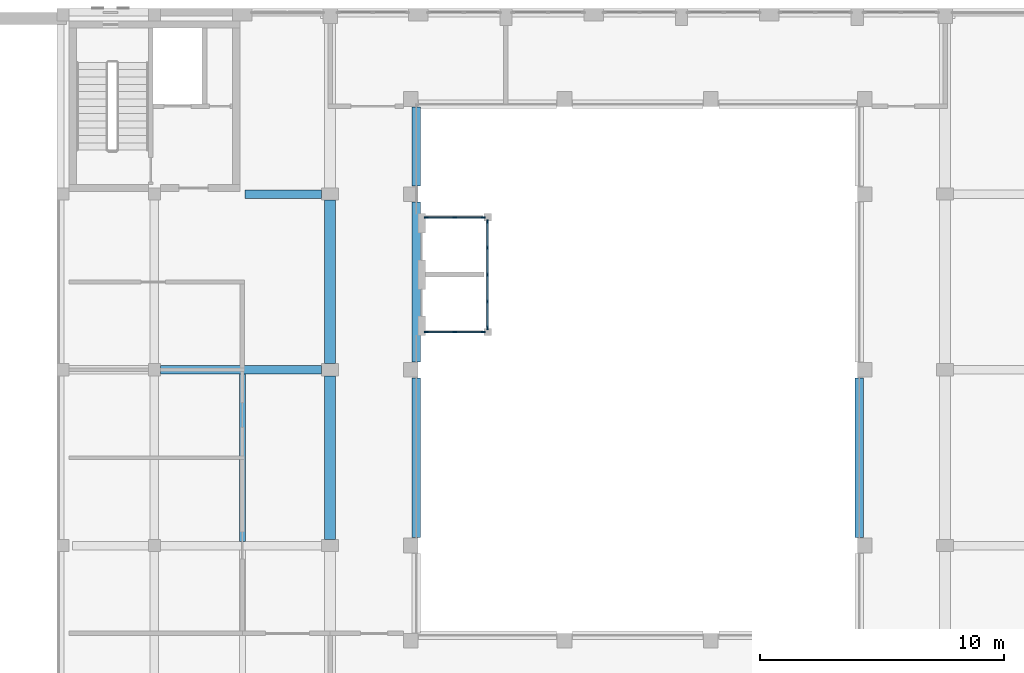
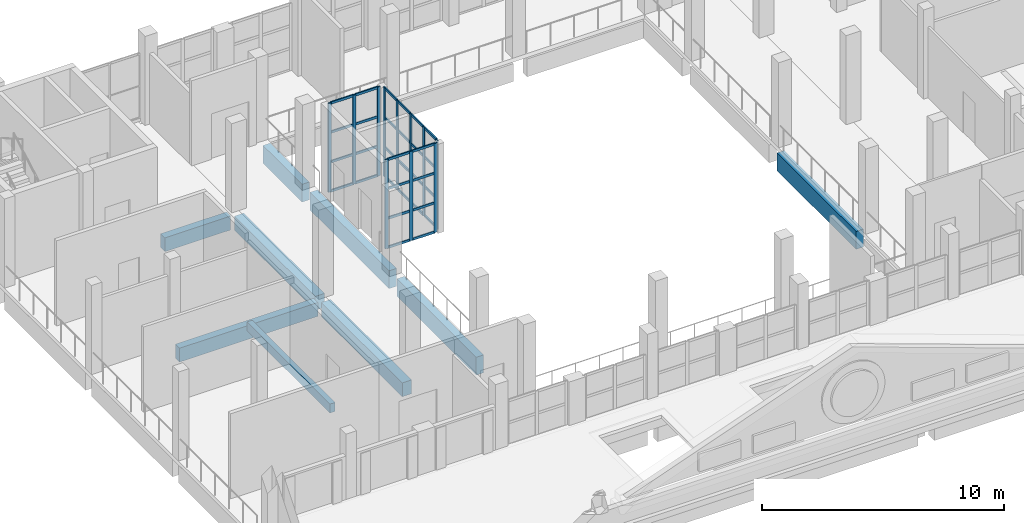
# One storey, part 8 of 58: 43 members, 9 beams, 3 elements without a shape of their own.
"""IFC4 building model written with IfcOpenShell, lengths in metres."""

from ifc_helpers import new_model, si_unit, direction, frame, origin, origin_2d, place, context, subcontext, project, spatial, rectangle, extrude, material, layer, layer_set, material_profile, profile_set, type_object, element, aggregate, save


model = new_model("IFC4")

# Units and contexts
model_context = context("Model", 3, precision=1e-05, world=origin(), true_north=direction((0.0, 1.0)))
body_context = subcontext(model_context, "Body", "Model", "MODEL_VIEW")
ifc_project = project(units=[si_unit("LENGTHUNIT", "METRE"), si_unit("AREAUNIT", "SQUARE_METRE"), si_unit("VOLUMEUNIT", "CUBIC_METRE"), si_unit("PLANEANGLEUNIT", "RADIAN"), si_unit("MASSUNIT", "GRAM", prefix="KILO")], contexts=[model_context])

# Site, building, storey
site_placement = place(None, origin())
site = spatial("IfcSite", under=ifc_project, at=site_placement, CompositionType="ELEMENT")
building_placement = place(site_placement, origin())
building = spatial("IfcBuilding", under=site, at=building_placement, Name="Ussher Court Research Institute", CompositionType="ELEMENT")
storey_placement = place(building_placement, frame((0.0, 0.0, 9.89990234375)))
storey = spatial("IfcBuildingStorey", under=building, at=storey_placement, Name="L02", CompositionType="ELEMENT", Elevation=9.89990234375)

# Curtain wall, members
ifc_material_1 = material(Name="Bronze anodised aluminium with low-e glass", Category="aluminium")
ifc_layer = layer(ifc_material_1, 0.1201171875)
ifc_layer_set = layer_set([ifc_layer], Name="Bronze anodised aluminium with low-e glass")
curtain_wall_type = type_object("IfcCurtainWallType", Name="Curtain wall atrium clear glazing", PredefinedType="NOTDEFINED", material=ifc_layer_set)
curtain_wall_1_placement = place(storey_placement, origin())
curtain_wall_1 = element("IfcCurtainWall", 1, at=curtain_wall_1_placement, inside=storey, type_object=curtain_wall_type, Name="Curtain wall CW2 lift shaft L02", PredefinedType="NOTDEFINED")
ifc_material_2 = material(Name="Bronze anodised aluminium", Category="aluminium")
ifc_material_profile_1 = material_profile(ifc_material_2, rectangle(XDim=0.06005859375, YDim=0.159912109375, at=origin_2d()), Name="Mullion 60x160")
ifc_profile_set_1 = profile_set([ifc_material_profile_1], Name="Bronze anodised aluminium")
member_type_1 = type_object("IfcMemberType", Name="Mullion 60x160", PredefinedType="MULLION", material=ifc_profile_set_1)
member_1_placement = place(storey_placement, frame((42.929931640625, 27.14990234375, 0.0), z_axis=(0.0, 0.0, 1.0), x_axis=(0.0, 1.0, 0.0)))
member_1 = element("IfcMember", 2, at=member_1_placement, type_object=member_type_1, Name="CW2 mullion 1", PredefinedType="MULLION", context=body_context, shape_type="SweptSolid", body=[
    extrude(rectangle(XDim=0.06005859375, YDim=0.159912109375, at=origin_2d()), origin(), (0.0, 0.0, 1.0), 4.5),
])
member_2_placement = place(storey_placement, frame((44.10009765625, 27.14990234375, 0.0), z_axis=(0.0, 0.0, 1.0), x_axis=(0.0, 1.0, 0.0)))
member_2 = element("IfcMember", 3, at=member_2_placement, type_object=member_type_1, Name="CW2 mullion 2", PredefinedType="MULLION", context=body_context, shape_type="SweptSolid", body=[
    extrude(rectangle(XDim=0.06005859375, YDim=0.159912109375, at=origin_2d()), origin(), (0.0, 0.0, 1.0), 4.5),
])
member_3_placement = place(storey_placement, frame((45.27001953125, 27.14990234375, 0.0), z_axis=(0.0, 0.0, 1.0), x_axis=(0.0, 1.0, 0.0)))
member_3 = element("IfcMember", 4, at=member_3_placement, type_object=member_type_1, Name="CW2 mullion 3", PredefinedType="MULLION", context=body_context, shape_type="SweptSolid", body=[
    extrude(rectangle(XDim=0.06005859375, YDim=0.159912109375, at=origin_2d()), origin(), (0.0, 0.0, 1.0), 4.5),
])

curtain_wall_2_placement = place(storey_placement, origin())
curtain_wall_2 = element("IfcCurtainWall", 5, at=curtain_wall_2_placement, inside=storey, type_object=curtain_wall_type, Name="Curtain wall CW2 lift shaft L02", PredefinedType="NOTDEFINED")
member_4_placement = place(storey_placement, frame((42.929931640625, 31.85009765625, 0.0), z_axis=(0.0, 0.0, 1.0), x_axis=(0.0, 1.0, 0.0)))
member_4 = element("IfcMember", 6, at=member_4_placement, type_object=member_type_1, Name="CW2 mullion 1", PredefinedType="MULLION", context=body_context, shape_type="SweptSolid", body=[
    extrude(rectangle(XDim=0.06005859375, YDim=0.159912109375, at=origin_2d()), origin(), (0.0, 0.0, 1.0), 4.5),
])
member_5_placement = place(storey_placement, frame((44.10009765625, 31.85009765625, 0.0), z_axis=(0.0, 0.0, 1.0), x_axis=(0.0, 1.0, 0.0)))
member_5 = element("IfcMember", 7, at=member_5_placement, type_object=member_type_1, Name="CW2 mullion 2", PredefinedType="MULLION", context=body_context, shape_type="SweptSolid", body=[
    extrude(rectangle(XDim=0.06005859375, YDim=0.159912109375, at=origin_2d()), origin(), (0.0, 0.0, 1.0), 4.5),
])
member_6_placement = place(storey_placement, frame((45.27001953125, 31.85009765625, 0.0), z_axis=(0.0, 0.0, 1.0), x_axis=(0.0, 1.0, 0.0)))
member_6 = element("IfcMember", 8, at=member_6_placement, type_object=member_type_1, Name="CW2 mullion 3", PredefinedType="MULLION", context=body_context, shape_type="SweptSolid", body=[
    extrude(rectangle(XDim=0.06005859375, YDim=0.159912109375, at=origin_2d()), origin(), (0.0, 0.0, 1.0), 4.5),
])

curtain_wall_3_placement = place(storey_placement, origin())
curtain_wall_3 = element("IfcCurtainWall", 9, at=curtain_wall_3_placement, inside=storey, type_object=curtain_wall_type, Name="Curtain wall CW2 lift shaft L02", PredefinedType="NOTDEFINED")
member_7_placement = place(storey_placement, frame((45.449951171875, 27.330078125, 0.0), z_axis=(0.0, 0.0, 1.0), x_axis=(-1.0, 0.0, 0.0)))
member_7 = element("IfcMember", 10, at=member_7_placement, type_object=member_type_1, Name="CW2 mullion 1", PredefinedType="MULLION", context=body_context, shape_type="SweptSolid", body=[
    extrude(rectangle(XDim=0.06005859375, YDim=0.159912109375, at=origin_2d()), origin(), (0.0, 0.0, 1.0), 4.5),
])
member_8_placement = place(storey_placement, frame((45.449951171875, 28.39990234375, 0.0), z_axis=(0.0, 0.0, 1.0), x_axis=(-1.0, 0.0, 0.0)))
member_8 = element("IfcMember", 11, at=member_8_placement, type_object=member_type_1, Name="CW2 mullion 2", PredefinedType="MULLION", context=body_context, shape_type="SweptSolid", body=[
    extrude(rectangle(XDim=0.06005859375, YDim=0.159912109375, at=origin_2d()), origin(), (0.0, 0.0, 1.0), 4.5),
])
member_9_placement = place(storey_placement, frame((45.449951171875, 29.5, 0.0), z_axis=(0.0, 0.0, 1.0), x_axis=(-1.0, 0.0, 0.0)))
member_9 = element("IfcMember", 12, at=member_9_placement, type_object=member_type_1, Name="CW2 mullion 3", PredefinedType="MULLION", context=body_context, shape_type="SweptSolid", body=[
    extrude(rectangle(XDim=0.06005859375, YDim=0.159912109375, at=origin_2d()), origin(), (0.0, 0.0, 1.0), 4.5),
])
member_10_placement = place(storey_placement, frame((45.449951171875, 30.60009765625, 0.0), z_axis=(0.0, 0.0, 1.0), x_axis=(-1.0, 0.0, 0.0)))
member_10 = element("IfcMember", 13, at=member_10_placement, type_object=member_type_1, Name="CW2 mullion 4", PredefinedType="MULLION", context=body_context, shape_type="SweptSolid", body=[
    extrude(rectangle(XDim=0.06005859375, YDim=0.159912109375, at=origin_2d()), origin(), (0.0, 0.0, 1.0), 4.5),
])
member_11_placement = place(storey_placement, frame((45.449951171875, 31.669921875, 0.0), z_axis=(0.0, 0.0, 1.0), x_axis=(-1.0, 0.0, 0.0)))
member_11 = element("IfcMember", 14, at=member_11_placement, type_object=member_type_1, Name="CW2 mullion 5", PredefinedType="MULLION", context=body_context, shape_type="SweptSolid", body=[
    extrude(rectangle(XDim=0.06005859375, YDim=0.159912109375, at=origin_2d()), origin(), (0.0, 0.0, 1.0), 4.5),
])

# Beams
ifc_material_3 = material(Name="Concrete C35/45", Category="concrete")
ifc_material_profile_2 = material_profile(ifc_material_3, rectangle(XDim=0.25, YDim=0.449951171875, at=origin_2d()), Name="RC 250x450")
ifc_profile_set_2 = profile_set([ifc_material_profile_2], Name="Concrete C35/45")
beam_type_1 = type_object("IfcBeamType", Name="RC 250x450 beam", PredefinedType="BEAM", material=ifc_profile_set_2)
beam_1_placement = place(storey_placement, frame((35.39990234375, 18.574951171875, -0.224853515625), z_axis=(0.0, 1.0, 0.0), x_axis=(-1.0, 0.0, 0.0)))
element("IfcBeam", 15, at=beam_1_placement, inside=storey, type_object=beam_type_1, Name="B1 V7 L02-02", PredefinedType="BEAM", context=body_context, shape_type="SweptSolid", body=[
    extrude(rectangle(XDim=0.25, YDim=0.449951171875, at=origin_2d()), origin(), (0.0, 0.0, 1.0), 6.85009765625),
])
ifc_material_4 = material(Name="Concrete C35/45", Category="concrete")
ifc_material_profile_3 = material_profile(ifc_material_4, rectangle(XDim=0.35009765625, YDim=0.699951171875, at=origin_2d()), Name="RC 350x700")
ifc_profile_set_3 = profile_set([ifc_material_profile_3], Name="Concrete C35/45")
beam_type_2 = type_object("IfcBeamType", Name="RC 350x700 beam", PredefinedType="BEAM", material=ifc_profile_set_3)
beam_2_placement = place(storey_placement, frame((32.050048828125, 25.60009765625, -0.5498046875), z_axis=(1.0, 0.0, 0.0), x_axis=(0.0, 1.0, 0.0)))
element("IfcBeam", 16, at=beam_2_placement, inside=storey, type_object=beam_type_2, Name="B16 V7 L02-07", PredefinedType="BEAM", context=body_context, shape_type="SweptSolid", body=[
    extrude(rectangle(XDim=0.35009765625, YDim=0.699951171875, at=origin_2d()), origin(), (0.0, 0.0, 1.0), 6.599853515625),
])
beam_3_placement = place(storey_placement, frame((35.5, 32.800048828125, -0.5498046875), z_axis=(1.0, 0.0, 0.0), x_axis=(0.0, 1.0, 0.0)))
element("IfcBeam", 17, at=beam_3_placement, inside=storey, type_object=beam_type_2, Name="B16 V7 L02-11", PredefinedType="BEAM", context=body_context, shape_type="SweptSolid", body=[
    extrude(rectangle(XDim=0.35009765625, YDim=0.699951171875, at=origin_2d()), origin(), (0.0, 0.0, 1.0), 3.14990234375),
])
ifc_material_5 = material(Name="Concrete C35/45", Category="concrete")
ifc_material_profile_4 = material_profile(ifc_material_5, rectangle(XDim=0.35009765625, YDim=0.89990234375, at=origin_2d()), Name="RC 350x900")
ifc_profile_set_4 = profile_set([ifc_material_profile_4], Name="Concrete C35/45")
beam_type_3 = type_object("IfcBeamType", Name="RC 350x900 beam", PredefinedType="BEAM", material=ifc_profile_set_4)
beam_4_placement = place(storey_placement, frame((42.52490234375, 18.72509765625, -0.64990234375), z_axis=(0.0, 1.0, 0.0), x_axis=(-1.0, 0.0, 0.0)))
element("IfcBeam", 18, at=beam_4_placement, inside=storey, type_object=beam_type_3, Name="SB1 V2 L02-10", PredefinedType="BEAM", context=body_context, shape_type="SweptSolid", body=[
    extrude(rectangle(XDim=0.35009765625, YDim=0.89990234375, at=origin_2d()), origin(), (0.0, 0.0, 1.0), 6.5498046875),
])
beam_5_placement = place(storey_placement, frame((42.52490234375, 25.925048828125, -0.64990234375), z_axis=(0.0, 1.0, 0.0), x_axis=(-1.0, 0.0, 0.0)))
element("IfcBeam", 19, at=beam_5_placement, inside=storey, type_object=beam_type_3, Name="SB1 V2 L02-11", PredefinedType="BEAM", context=body_context, shape_type="SweptSolid", body=[
    extrude(rectangle(XDim=0.35009765625, YDim=0.89990234375, at=origin_2d()), origin(), (0.0, 0.0, 1.0), 6.550048828125),
])
beam_6_placement = place(storey_placement, frame((42.52490234375, 33.125, -0.64990234375), z_axis=(0.0, 1.0, 0.0), x_axis=(-1.0, 0.0, 0.0)))
element("IfcBeam", 20, at=beam_6_placement, inside=storey, type_object=beam_type_3, Name="SB1 V2 L02-12", PredefinedType="BEAM", context=body_context, shape_type="SweptSolid", body=[
    extrude(rectangle(XDim=0.35009765625, YDim=0.89990234375, at=origin_2d()), origin(), (0.0, 0.0, 1.0), 3.25),
])
beam_7_placement = place(storey_placement, frame((60.675048828125, 18.72509765625, -0.64990234375), z_axis=(0.0, 1.0, 0.0), x_axis=(-1.0, 0.0, 0.0)))
element("IfcBeam", 21, at=beam_7_placement, inside=storey, type_object=beam_type_3, Name="SB1 V2 L02-14", PredefinedType="BEAM", context=body_context, shape_type="SweptSolid", body=[
    extrude(rectangle(XDim=0.35009765625, YDim=0.89990234375, at=origin_2d()), origin(), (0.0, 0.0, 1.0), 6.5498046875),
])
ifc_material_6 = material(Name="Concrete C35/45", Category="concrete")
ifc_material_profile_5 = material_profile(ifc_material_6, rectangle(XDim=0.449951171875, YDim=0.699951171875, at=origin_2d()), Name="RC 450x700")
ifc_profile_set_5 = profile_set([ifc_material_profile_5], Name="Concrete C35/45")
beam_type_4 = type_object("IfcBeamType", Name="RC 450x700 beam", PredefinedType="BEAM", material=ifc_profile_set_5)
beam_8_placement = place(storey_placement, frame((39.0, 18.64990234375, -0.5498046875), z_axis=(0.0, 1.0, 0.0), x_axis=(-1.0, 0.0, 0.0)))
element("IfcBeam", 22, at=beam_8_placement, inside=storey, type_object=beam_type_4, Name="B10 V2 L02-02", PredefinedType="BEAM", context=body_context, shape_type="SweptSolid", body=[
    extrude(rectangle(XDim=0.449951171875, YDim=0.699951171875, at=origin_2d()), origin(), (0.0, 0.0, 1.0), 6.7001953125),
])
beam_9_placement = place(storey_placement, frame((39.0, 25.85009765625, -0.5498046875), z_axis=(0.0, 1.0, 0.0), x_axis=(-1.0, 0.0, 0.0)))
element("IfcBeam", 23, at=beam_9_placement, inside=storey, type_object=beam_type_4, Name="B10 V2 L02-03", PredefinedType="BEAM", context=body_context, shape_type="SweptSolid", body=[
    extrude(rectangle(XDim=0.449951171875, YDim=0.699951171875, at=origin_2d()), origin(), (0.0, 0.0, 1.0), 6.699951171875),
])

# Member
ifc_material_7 = material(Name="Bronze anodised aluminium", Category="aluminium")
ifc_material_profile_6 = material_profile(ifc_material_7, rectangle(XDim=0.06005859375, YDim=0.1201171875, at=origin_2d()), Name="Transom 60x120")
ifc_profile_set_6 = profile_set([ifc_material_profile_6], Name="Bronze anodised aluminium")
member_type_2 = type_object("IfcMemberType", Name="Transom 60x120", PredefinedType="USERDEFINED", material=ifc_profile_set_6)
member_12_placement = place(storey_placement, frame((42.9599609375, 27.14990234375, 0.030029296875), z_axis=(1.0, 0.0, 0.0), x_axis=(0.0, 1.0, 0.0)))
member_12 = element("IfcMember", 24, at=member_12_placement, type_object=member_type_2, Name="CW2 transom 1.1", ObjectType="TRANSOM", PredefinedType="USERDEFINED", context=body_context, shape_type="SweptSolid", body=[
    extrude(rectangle(XDim=0.06005859375, YDim=0.1201171875, at=origin_2d()), origin(), (0.0, 0.0, 1.0), 1.110107421875),
])

member_13_placement = place(storey_placement, frame((42.9599609375, 27.14990234375, 1.5), z_axis=(1.0, 0.0, 0.0), x_axis=(0.0, 1.0, 0.0)))
member_13 = element("IfcMember", 25, at=member_13_placement, type_object=member_type_2, Name="CW2 transom 1.2", ObjectType="TRANSOM", PredefinedType="USERDEFINED", context=body_context, shape_type="SweptSolid", body=[
    extrude(rectangle(XDim=0.06005859375, YDim=0.1201171875, at=origin_2d()), origin(), (0.0, 0.0, 1.0), 1.110107421875),
])

member_14_placement = place(storey_placement, frame((42.9599609375, 27.14990234375, 3.0), z_axis=(1.0, 0.0, 0.0), x_axis=(0.0, 1.0, 0.0)))
member_14 = element("IfcMember", 26, at=member_14_placement, type_object=member_type_2, Name="CW2 transom 1.3", ObjectType="TRANSOM", PredefinedType="USERDEFINED", context=body_context, shape_type="SweptSolid", body=[
    extrude(rectangle(XDim=0.06005859375, YDim=0.1201171875, at=origin_2d()), origin(), (0.0, 0.0, 1.0), 1.110107421875),
])

member_15_placement = place(storey_placement, frame((42.9599609375, 27.14990234375, 4.47021484375), z_axis=(1.0, 0.0, 0.0), x_axis=(0.0, 1.0, 0.0)))
member_15 = element("IfcMember", 27, at=member_15_placement, type_object=member_type_2, Name="CW2 transom 1.4", ObjectType="TRANSOM", PredefinedType="USERDEFINED", context=body_context, shape_type="SweptSolid", body=[
    extrude(rectangle(XDim=0.06005859375, YDim=0.1201171875, at=origin_2d()), origin(), (0.0, 0.0, 1.0), 1.110107421875),
])

member_16_placement = place(storey_placement, frame((44.1298828125, 27.14990234375, 0.030029296875), z_axis=(1.0, 0.0, 0.0), x_axis=(0.0, 1.0, 0.0)))
member_16 = element("IfcMember", 28, at=member_16_placement, type_object=member_type_2, Name="CW2 transom 2.1", ObjectType="TRANSOM", PredefinedType="USERDEFINED", context=body_context, shape_type="SweptSolid", body=[
    extrude(rectangle(XDim=0.06005859375, YDim=0.1201171875, at=origin_2d()), origin(), (0.0, 0.0, 1.0), 1.110107421875),
])

member_17_placement = place(storey_placement, frame((44.1298828125, 27.14990234375, 1.5), z_axis=(1.0, 0.0, 0.0), x_axis=(0.0, 1.0, 0.0)))
member_17 = element("IfcMember", 29, at=member_17_placement, type_object=member_type_2, Name="CW2 transom 2.2", ObjectType="TRANSOM", PredefinedType="USERDEFINED", context=body_context, shape_type="SweptSolid", body=[
    extrude(rectangle(XDim=0.06005859375, YDim=0.1201171875, at=origin_2d()), origin(), (0.0, 0.0, 1.0), 1.110107421875),
])

member_18_placement = place(storey_placement, frame((44.1298828125, 27.14990234375, 3.0), z_axis=(1.0, 0.0, 0.0), x_axis=(0.0, 1.0, 0.0)))
member_18 = element("IfcMember", 30, at=member_18_placement, type_object=member_type_2, Name="CW2 transom 2.3", ObjectType="TRANSOM", PredefinedType="USERDEFINED", context=body_context, shape_type="SweptSolid", body=[
    extrude(rectangle(XDim=0.06005859375, YDim=0.1201171875, at=origin_2d()), origin(), (0.0, 0.0, 1.0), 1.110107421875),
])

member_19_placement = place(storey_placement, frame((44.1298828125, 27.14990234375, 4.47021484375), z_axis=(1.0, 0.0, 0.0), x_axis=(0.0, 1.0, 0.0)))
member_19 = element("IfcMember", 31, at=member_19_placement, type_object=member_type_2, Name="CW2 transom 2.4", ObjectType="TRANSOM", PredefinedType="USERDEFINED", context=body_context, shape_type="SweptSolid", body=[
    extrude(rectangle(XDim=0.06005859375, YDim=0.1201171875, at=origin_2d()), origin(), (0.0, 0.0, 1.0), 1.110107421875),
])

aggregate(curtain_wall_1, [member_1, member_2, member_3, member_12, member_13, member_14, member_15, member_16, member_17, member_18, member_19])

member_20_placement = place(storey_placement, frame((42.9599609375, 31.85009765625, 0.030029296875), z_axis=(1.0, 0.0, 0.0), x_axis=(0.0, 1.0, 0.0)))
member_20 = element("IfcMember", 32, at=member_20_placement, type_object=member_type_2, Name="CW2 transom 1.1", ObjectType="TRANSOM", PredefinedType="USERDEFINED", context=body_context, shape_type="SweptSolid", body=[
    extrude(rectangle(XDim=0.06005859375, YDim=0.1201171875, at=origin_2d()), origin(), (0.0, 0.0, 1.0), 1.110107421875),
])

member_21_placement = place(storey_placement, frame((42.9599609375, 31.85009765625, 1.5), z_axis=(1.0, 0.0, 0.0), x_axis=(0.0, 1.0, 0.0)))
member_21 = element("IfcMember", 33, at=member_21_placement, type_object=member_type_2, Name="CW2 transom 1.2", ObjectType="TRANSOM", PredefinedType="USERDEFINED", context=body_context, shape_type="SweptSolid", body=[
    extrude(rectangle(XDim=0.06005859375, YDim=0.1201171875, at=origin_2d()), origin(), (0.0, 0.0, 1.0), 1.110107421875),
])

member_22_placement = place(storey_placement, frame((42.9599609375, 31.85009765625, 3.0), z_axis=(1.0, 0.0, 0.0), x_axis=(0.0, 1.0, 0.0)))
member_22 = element("IfcMember", 34, at=member_22_placement, type_object=member_type_2, Name="CW2 transom 1.3", ObjectType="TRANSOM", PredefinedType="USERDEFINED", context=body_context, shape_type="SweptSolid", body=[
    extrude(rectangle(XDim=0.06005859375, YDim=0.1201171875, at=origin_2d()), origin(), (0.0, 0.0, 1.0), 1.110107421875),
])

member_23_placement = place(storey_placement, frame((42.9599609375, 31.85009765625, 4.47021484375), z_axis=(1.0, 0.0, 0.0), x_axis=(0.0, 1.0, 0.0)))
member_23 = element("IfcMember", 35, at=member_23_placement, type_object=member_type_2, Name="CW2 transom 1.4", ObjectType="TRANSOM", PredefinedType="USERDEFINED", context=body_context, shape_type="SweptSolid", body=[
    extrude(rectangle(XDim=0.06005859375, YDim=0.1201171875, at=origin_2d()), origin(), (0.0, 0.0, 1.0), 1.110107421875),
])

member_24_placement = place(storey_placement, frame((44.1298828125, 31.85009765625, 0.030029296875), z_axis=(1.0, 0.0, 0.0), x_axis=(0.0, 1.0, 0.0)))
member_24 = element("IfcMember", 36, at=member_24_placement, type_object=member_type_2, Name="CW2 transom 2.1", ObjectType="TRANSOM", PredefinedType="USERDEFINED", context=body_context, shape_type="SweptSolid", body=[
    extrude(rectangle(XDim=0.06005859375, YDim=0.1201171875, at=origin_2d()), origin(), (0.0, 0.0, 1.0), 1.110107421875),
])

member_25_placement = place(storey_placement, frame((44.1298828125, 31.85009765625, 1.5), z_axis=(1.0, 0.0, 0.0), x_axis=(0.0, 1.0, 0.0)))
member_25 = element("IfcMember", 37, at=member_25_placement, type_object=member_type_2, Name="CW2 transom 2.2", ObjectType="TRANSOM", PredefinedType="USERDEFINED", context=body_context, shape_type="SweptSolid", body=[
    extrude(rectangle(XDim=0.06005859375, YDim=0.1201171875, at=origin_2d()), origin(), (0.0, 0.0, 1.0), 1.110107421875),
])

member_26_placement = place(storey_placement, frame((44.1298828125, 31.85009765625, 3.0), z_axis=(1.0, 0.0, 0.0), x_axis=(0.0, 1.0, 0.0)))
member_26 = element("IfcMember", 38, at=member_26_placement, type_object=member_type_2, Name="CW2 transom 2.3", ObjectType="TRANSOM", PredefinedType="USERDEFINED", context=body_context, shape_type="SweptSolid", body=[
    extrude(rectangle(XDim=0.06005859375, YDim=0.1201171875, at=origin_2d()), origin(), (0.0, 0.0, 1.0), 1.110107421875),
])

member_27_placement = place(storey_placement, frame((44.1298828125, 31.85009765625, 4.47021484375), z_axis=(1.0, 0.0, 0.0), x_axis=(0.0, 1.0, 0.0)))
member_27 = element("IfcMember", 39, at=member_27_placement, type_object=member_type_2, Name="CW2 transom 2.4", ObjectType="TRANSOM", PredefinedType="USERDEFINED", context=body_context, shape_type="SweptSolid", body=[
    extrude(rectangle(XDim=0.06005859375, YDim=0.1201171875, at=origin_2d()), origin(), (0.0, 0.0, 1.0), 1.110107421875),
])

aggregate(curtain_wall_2, [member_4, member_5, member_6, member_20, member_21, member_22, member_23, member_24, member_25, member_26, member_27])

member_28_placement = place(storey_placement, frame((45.449951171875, 27.360107421875, 0.030029296875), z_axis=(0.0, 1.0, 0.0), x_axis=(-1.0, 0.0, 0.0)))
member_28 = element("IfcMember", 40, at=member_28_placement, type_object=member_type_2, Name="CW2 transom 1.1", ObjectType="TRANSOM", PredefinedType="USERDEFINED", context=body_context, shape_type="SweptSolid", body=[
    extrude(rectangle(XDim=0.06005859375, YDim=0.1201171875, at=origin_2d()), origin(), (0.0, 0.0, 1.0), 1.010009765625),
])

member_29_placement = place(storey_placement, frame((45.449951171875, 27.360107421875, 1.5), z_axis=(0.0, 1.0, 0.0), x_axis=(-1.0, 0.0, 0.0)))
member_29 = element("IfcMember", 41, at=member_29_placement, type_object=member_type_2, Name="CW2 transom 1.2", ObjectType="TRANSOM", PredefinedType="USERDEFINED", context=body_context, shape_type="SweptSolid", body=[
    extrude(rectangle(XDim=0.06005859375, YDim=0.1201171875, at=origin_2d()), origin(), (0.0, 0.0, 1.0), 1.010009765625),
])

member_30_placement = place(storey_placement, frame((45.449951171875, 27.360107421875, 3.0), z_axis=(0.0, 1.0, 0.0), x_axis=(-1.0, 0.0, 0.0)))
member_30 = element("IfcMember", 42, at=member_30_placement, type_object=member_type_2, Name="CW2 transom 1.3", ObjectType="TRANSOM", PredefinedType="USERDEFINED", context=body_context, shape_type="SweptSolid", body=[
    extrude(rectangle(XDim=0.06005859375, YDim=0.1201171875, at=origin_2d()), origin(), (0.0, 0.0, 1.0), 1.010009765625),
])

member_31_placement = place(storey_placement, frame((45.449951171875, 27.360107421875, 4.47021484375), z_axis=(0.0, 1.0, 0.0), x_axis=(-1.0, 0.0, 0.0)))
member_31 = element("IfcMember", 43, at=member_31_placement, type_object=member_type_2, Name="CW2 transom 1.4", ObjectType="TRANSOM", PredefinedType="USERDEFINED", context=body_context, shape_type="SweptSolid", body=[
    extrude(rectangle(XDim=0.06005859375, YDim=0.1201171875, at=origin_2d()), origin(), (0.0, 0.0, 1.0), 1.010009765625),
])

member_32_placement = place(storey_placement, frame((45.449951171875, 28.429931640625, 0.030029296875), z_axis=(0.0, 1.0, 0.0), x_axis=(-1.0, 0.0, 0.0)))
member_32 = element("IfcMember", 44, at=member_32_placement, type_object=member_type_2, Name="CW2 transom 2.1", ObjectType="TRANSOM", PredefinedType="USERDEFINED", context=body_context, shape_type="SweptSolid", body=[
    extrude(rectangle(XDim=0.06005859375, YDim=0.1201171875, at=origin_2d()), origin(), (0.0, 0.0, 1.0), 1.0400390625),
])

member_33_placement = place(storey_placement, frame((45.449951171875, 28.429931640625, 1.5), z_axis=(0.0, 1.0, 0.0), x_axis=(-1.0, 0.0, 0.0)))
member_33 = element("IfcMember", 45, at=member_33_placement, type_object=member_type_2, Name="CW2 transom 2.2", ObjectType="TRANSOM", PredefinedType="USERDEFINED", context=body_context, shape_type="SweptSolid", body=[
    extrude(rectangle(XDim=0.06005859375, YDim=0.1201171875, at=origin_2d()), origin(), (0.0, 0.0, 1.0), 1.0400390625),
])

member_34_placement = place(storey_placement, frame((45.449951171875, 28.429931640625, 3.0), z_axis=(0.0, 1.0, 0.0), x_axis=(-1.0, 0.0, 0.0)))
member_34 = element("IfcMember", 46, at=member_34_placement, type_object=member_type_2, Name="CW2 transom 2.3", ObjectType="TRANSOM", PredefinedType="USERDEFINED", context=body_context, shape_type="SweptSolid", body=[
    extrude(rectangle(XDim=0.06005859375, YDim=0.1201171875, at=origin_2d()), origin(), (0.0, 0.0, 1.0), 1.0400390625),
])

member_35_placement = place(storey_placement, frame((45.449951171875, 28.429931640625, 4.47021484375), z_axis=(0.0, 1.0, 0.0), x_axis=(-1.0, 0.0, 0.0)))
member_35 = element("IfcMember", 47, at=member_35_placement, type_object=member_type_2, Name="CW2 transom 2.4", ObjectType="TRANSOM", PredefinedType="USERDEFINED", context=body_context, shape_type="SweptSolid", body=[
    extrude(rectangle(XDim=0.06005859375, YDim=0.1201171875, at=origin_2d()), origin(), (0.0, 0.0, 1.0), 1.0400390625),
])

member_36_placement = place(storey_placement, frame((45.449951171875, 29.530029296875, 0.030029296875), z_axis=(0.0, 1.0, 0.0), x_axis=(-1.0, 0.0, 0.0)))
member_36 = element("IfcMember", 48, at=member_36_placement, type_object=member_type_2, Name="CW2 transom 3.1", ObjectType="TRANSOM", PredefinedType="USERDEFINED", context=body_context, shape_type="SweptSolid", body=[
    extrude(rectangle(XDim=0.06005859375, YDim=0.1201171875, at=origin_2d()), origin(), (0.0, 0.0, 1.0), 1.0400390625),
])

member_37_placement = place(storey_placement, frame((45.449951171875, 29.530029296875, 1.5), z_axis=(0.0, 1.0, 0.0), x_axis=(-1.0, 0.0, 0.0)))
member_37 = element("IfcMember", 49, at=member_37_placement, type_object=member_type_2, Name="CW2 transom 3.2", ObjectType="TRANSOM", PredefinedType="USERDEFINED", context=body_context, shape_type="SweptSolid", body=[
    extrude(rectangle(XDim=0.06005859375, YDim=0.1201171875, at=origin_2d()), origin(), (0.0, 0.0, 1.0), 1.0400390625),
])

member_38_placement = place(storey_placement, frame((45.449951171875, 29.530029296875, 3.0), z_axis=(0.0, 1.0, 0.0), x_axis=(-1.0, 0.0, 0.0)))
member_38 = element("IfcMember", 50, at=member_38_placement, type_object=member_type_2, Name="CW2 transom 3.3", ObjectType="TRANSOM", PredefinedType="USERDEFINED", context=body_context, shape_type="SweptSolid", body=[
    extrude(rectangle(XDim=0.06005859375, YDim=0.1201171875, at=origin_2d()), origin(), (0.0, 0.0, 1.0), 1.0400390625),
])

member_39_placement = place(storey_placement, frame((45.449951171875, 29.530029296875, 4.47021484375), z_axis=(0.0, 1.0, 0.0), x_axis=(-1.0, 0.0, 0.0)))
member_39 = element("IfcMember", 51, at=member_39_placement, type_object=member_type_2, Name="CW2 transom 3.4", ObjectType="TRANSOM", PredefinedType="USERDEFINED", context=body_context, shape_type="SweptSolid", body=[
    extrude(rectangle(XDim=0.06005859375, YDim=0.1201171875, at=origin_2d()), origin(), (0.0, 0.0, 1.0), 1.0400390625),
])

member_40_placement = place(storey_placement, frame((45.449951171875, 30.6298828125, 0.030029296875), z_axis=(0.0, 1.0, 0.0), x_axis=(-1.0, 0.0, 0.0)))
member_40 = element("IfcMember", 52, at=member_40_placement, type_object=member_type_2, Name="CW2 transom 4.1", ObjectType="TRANSOM", PredefinedType="USERDEFINED", context=body_context, shape_type="SweptSolid", body=[
    extrude(rectangle(XDim=0.06005859375, YDim=0.1201171875, at=origin_2d()), origin(), (0.0, 0.0, 1.0), 1.010009765625),
])

member_41_placement = place(storey_placement, frame((45.449951171875, 30.6298828125, 1.5), z_axis=(0.0, 1.0, 0.0), x_axis=(-1.0, 0.0, 0.0)))
member_41 = element("IfcMember", 53, at=member_41_placement, type_object=member_type_2, Name="CW2 transom 4.2", ObjectType="TRANSOM", PredefinedType="USERDEFINED", context=body_context, shape_type="SweptSolid", body=[
    extrude(rectangle(XDim=0.06005859375, YDim=0.1201171875, at=origin_2d()), origin(), (0.0, 0.0, 1.0), 1.010009765625),
])

member_42_placement = place(storey_placement, frame((45.449951171875, 30.6298828125, 3.0), z_axis=(0.0, 1.0, 0.0), x_axis=(-1.0, 0.0, 0.0)))
member_42 = element("IfcMember", 54, at=member_42_placement, type_object=member_type_2, Name="CW2 transom 4.3", ObjectType="TRANSOM", PredefinedType="USERDEFINED", context=body_context, shape_type="SweptSolid", body=[
    extrude(rectangle(XDim=0.06005859375, YDim=0.1201171875, at=origin_2d()), origin(), (0.0, 0.0, 1.0), 1.010009765625),
])

member_43_placement = place(storey_placement, frame((45.449951171875, 30.6298828125, 4.47021484375), z_axis=(0.0, 1.0, 0.0), x_axis=(-1.0, 0.0, 0.0)))
member_43 = element("IfcMember", 55, at=member_43_placement, type_object=member_type_2, Name="CW2 transom 4.4", ObjectType="TRANSOM", PredefinedType="USERDEFINED", context=body_context, shape_type="SweptSolid", body=[
    extrude(rectangle(XDim=0.06005859375, YDim=0.1201171875, at=origin_2d()), origin(), (0.0, 0.0, 1.0), 1.010009765625),
])

aggregate(curtain_wall_3, [member_7, member_8, member_9, member_10, member_11, member_28, member_29, member_30, member_31, member_32, member_33, member_34, member_35, member_36, member_37, member_38, member_39, member_40, member_41, member_42, member_43])

save(model, "model.ifc")
